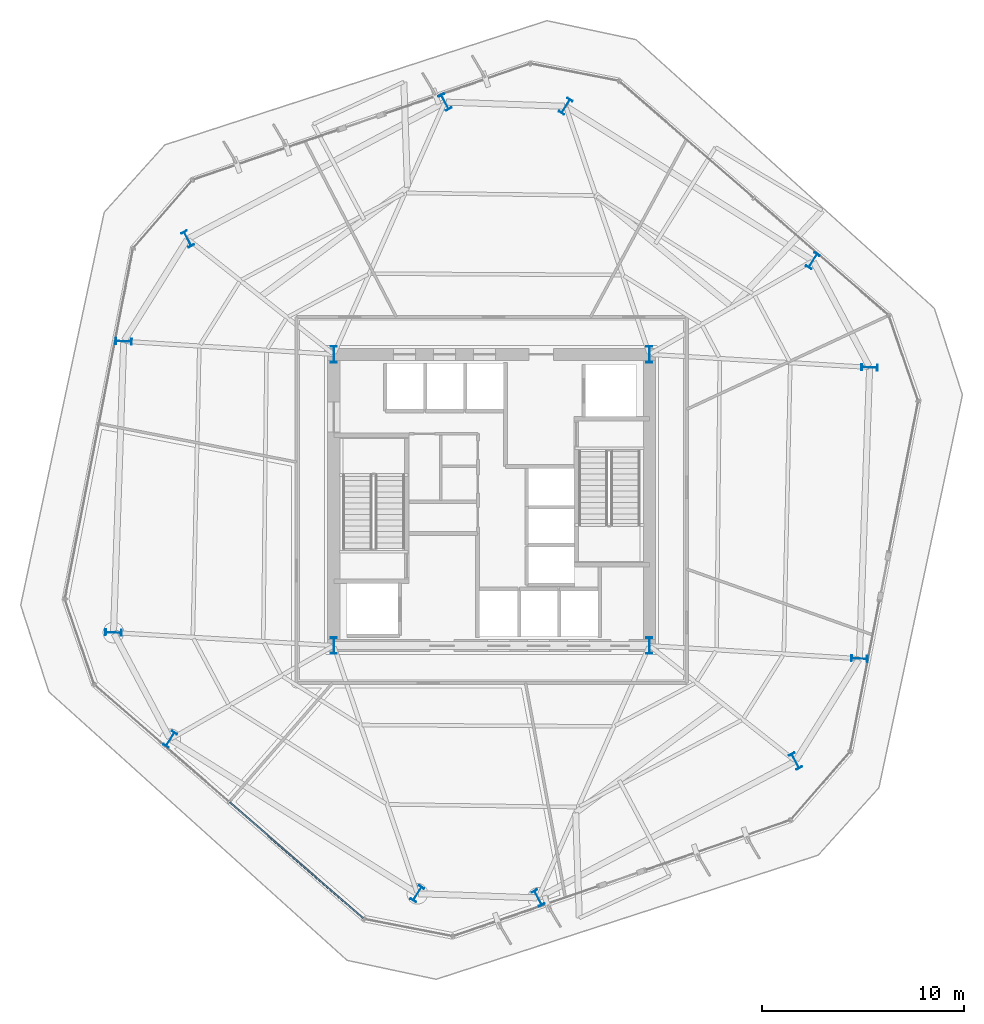
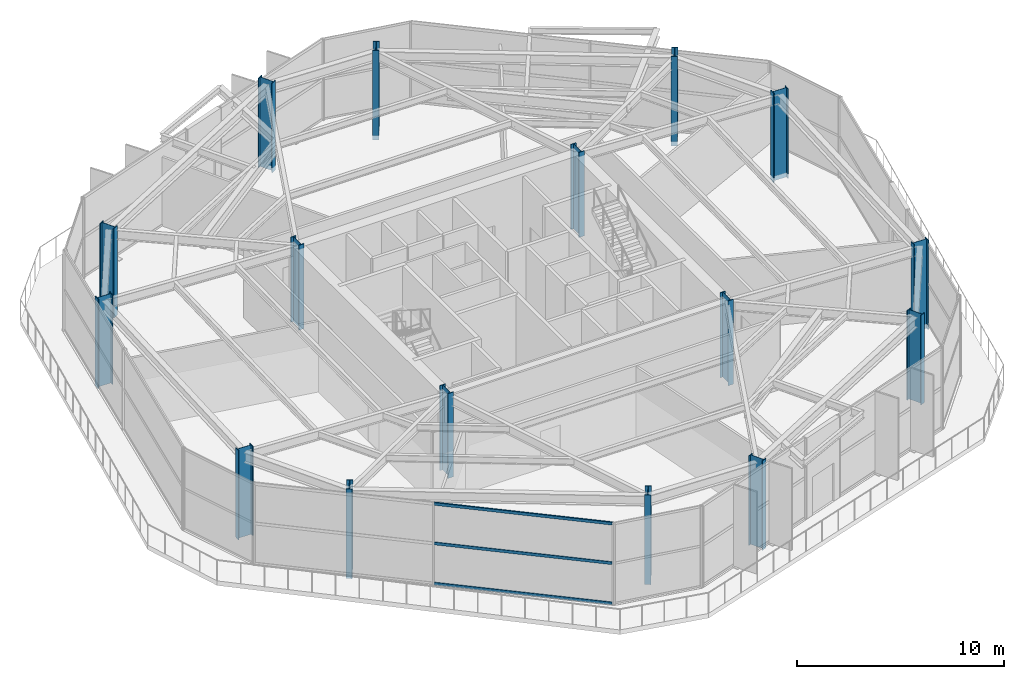
# One storey, part 1 of 16: 16 columns, 3 members, 1 element without a shape of its own.
"""IFC4 building model written with IfcOpenShell, lengths in metres."""

import ifcopenshell
import ifcopenshell.guid

model = None  # the IFC model being written
_history = None  # IfcOwnerHistory: only IFC2X3 demands one
_inside = {}  # id of a spatial element -> (the spatial element, [elements in it])
_under = {}  # id of a project, library or spatial element -> (it, [spatial elements below it])
_declared = {}  # id of a project -> (the project, [libraries it declares])
_typed = {}  # id of a type object -> (the type object, [elements of that type])
_made_of = {}  # id of a material, layer set ... -> (it, [elements and type objects made of it])


def new_model(schema):
    """Start an empty IFC model of exactly this schema.

    Asked for "IFC4X3", IfcOpenShell would pick the latest addendum, in which some entities
    have other attributes; the version numbers below select the first issue.
    IFC2X3 requires an IfcOwnerHistory on every rooted entity: one is made here for all.
    """
    global model, _history
    if schema == "IFC4X3":
        model = ifcopenshell.file(schema_version=(4, 3, 0, 0))
    else:
        model = ifcopenshell.file(schema=schema)
    _inside.clear()
    _under.clear()
    _declared.clear()
    _typed.clear()
    _made_of.clear()
    _history = None
    if model.schema == "IFC2X3":
        org = make("IfcOrganization", Name="unknown")
        user = make(
            "IfcPersonAndOrganization",
            ThePerson=make("IfcPerson", FamilyName="unknown"),
            TheOrganization=org,
        )
        app = make(
            "IfcApplication",
            ApplicationDeveloper=org,
            Version="unknown",
            ApplicationFullName="unknown",
            ApplicationIdentifier="unknown",
        )
        _history = make(
            "IfcOwnerHistory",
            OwningUser=user,
            OwningApplication=app,
            ChangeAction="ADDED",
            CreationDate=0,
        )
    return model


def make(cls, **values):
    """One entity of the class cls with the attributes given. An attribute that is None is left unset."""
    return model.create_entity(
        cls, **{name: value for name, value in values.items() if value is not None}
    )


def rooted(cls, **values):
    """An entity with a GlobalId (a new one), such as an element, a storey or a relation."""
    return make(cls, GlobalId=ifcopenshell.guid.new(), OwnerHistory=_history, **values)


def si_unit(unit_type, name, prefix=None):
    """IfcSIUnit, for example si_unit("LENGTHUNIT", "METRE", prefix="MILLI")."""
    return make("IfcSIUnit", UnitType=unit_type, Prefix=prefix, Name=name)


def assignment(units):
    """IfcUnitAssignment: the units of a project."""
    return None if units is None else make("IfcUnitAssignment", Units=units)


def point(xyz):
    """IfcCartesianPoint."""
    return None if xyz is None else make("IfcCartesianPoint", Coordinates=xyz)


def direction(xyz):
    """IfcDirection."""
    return None if xyz is None else make("IfcDirection", DirectionRatios=xyz)


def frame(location, z_axis=None, x_axis=None):
    """IfcAxis2Placement3D, a coordinate frame: its origin and axes. An axis left out is left unset."""
    return make(
        "IfcAxis2Placement3D",
        Location=point(location),
        Axis=direction(z_axis),
        RefDirection=direction(x_axis),
    )


def frame_2d(location, x_axis=None):
    """IfcAxis2Placement2D, a coordinate frame in the plane: its origin and x axis."""
    return make(
        "IfcAxis2Placement2D", Location=point(location), RefDirection=direction(x_axis)
    )


def origin():
    """The frame at (0, 0, 0) with its axes left unset."""
    return frame((0.0, 0.0, 0.0))


def origin_2d():
    """The frame at (0, 0) in the plane with its x axis left unset."""
    return frame_2d((0.0, 0.0))


def place(relative_to, where):
    """IfcLocalPlacement: puts the frame where relative to a parent placement (None: the world)."""
    return make(
        "IfcLocalPlacement", PlacementRelTo=relative_to, RelativePlacement=where
    )


def context(
    kind, dimensions, precision=None, world=None, true_north=None, identifier=None
):
    """IfcGeometricRepresentationContext, for example the 3D "Model" context."""
    return make(
        "IfcGeometricRepresentationContext",
        ContextIdentifier=identifier,
        ContextType=kind,
        CoordinateSpaceDimension=dimensions,
        Precision=precision,
        WorldCoordinateSystem=world,
        TrueNorth=true_north,
    )


def subcontext(parent, identifier, kind, view, scale=None):
    """IfcGeometricRepresentationSubContext, for example "Body" below "Model"."""
    return make(
        "IfcGeometricRepresentationSubContext",
        ContextIdentifier=identifier,
        ContextType=kind,
        ParentContext=parent,
        TargetScale=scale,
        TargetView=view,
    )


def project(units=None, contexts=None):
    """IfcProject with its units and contexts."""
    return rooted(
        "IfcProject",
        Name="project",
        RepresentationContexts=contexts,
        UnitsInContext=assignment(units),
    )


def spatial(cls, under=None, at=None, **own):
    """A site, building, storey or space (cls), placed at a placement, below another one or the project."""
    s = rooted(cls, ObjectPlacement=at, **own)
    if under is not None:
        _under.setdefault(under.id(), (under, []))[1].append(s)
    return s


def profile(cls, at=None, kind="AREA", **sizes):
    """A parametric profile (cls). Its sizes go by their IFC names, for example OverallWidth=200.0."""
    return make(cls, ProfileType=kind, Position=at, **sizes)


def rectangle(**sizes):
    """IfcRectangleProfileDef."""
    return profile("IfcRectangleProfileDef", **sizes)


def i_section(**sizes):
    """IfcIShapeProfileDef."""
    return profile("IfcIShapeProfileDef", **sizes)


def extrude(swept, where, along, depth):
    """IfcExtrudedAreaSolid: the profile swept, set in the frame where, extruded along a direction by depth."""
    return make(
        "IfcExtrudedAreaSolid",
        SweptArea=swept,
        Position=where,
        ExtrudedDirection=direction(along),
        Depth=depth,
    )


def shape(context_of_items, identifier, shape_type, items):
    """IfcShapeRepresentation: the items that make up one representation, for example the "Body"."""
    return make(
        "IfcShapeRepresentation",
        ContextOfItems=context_of_items,
        RepresentationIdentifier=identifier,
        RepresentationType=shape_type,
        Items=items,
    )


def material(Name=None, Category=None):
    """IfcMaterial."""
    return make("IfcMaterial", Name=Name, Category=Category)


def layer(
    of_material, thickness, ventilated=None, Name=None, Category=None, Priority=None
):
    """IfcMaterialLayer: one layer of a wall or slab, of a material (None: an air gap)."""
    return make(
        "IfcMaterialLayer",
        Material=of_material,
        LayerThickness=thickness,
        IsVentilated=ventilated,
        Name=Name,
        Category=Category,
        Priority=Priority,
    )


def layer_set(layers, Name=None):
    """IfcMaterialLayerSet."""
    return make("IfcMaterialLayerSet", MaterialLayers=layers, LayerSetName=Name)


def material_profile(
    of_material, cross_section, Name=None, Category=None, Priority=None
):
    """IfcMaterialProfile: a cross section and its material."""
    return make(
        "IfcMaterialProfile",
        Name=Name,
        Material=of_material,
        Profile=cross_section,
        Priority=Priority,
        Category=Category,
    )


def profile_set(profiles, Name=None, composite=None):
    """IfcMaterialProfileSet."""
    return make(
        "IfcMaterialProfileSet",
        Name=Name,
        MaterialProfiles=profiles,
        CompositeProfile=composite,
    )


def made_of(thing, what):
    """Note that an element or type object is made of a material, layer set ...; save() writes the relation."""
    if what is not None:
        _made_of.setdefault(what.id(), (what, []))[1].append(thing)
    return thing


def type_object(cls, material=None, **own):
    """A type object (cls), such as IfcWallType, which elements share."""
    return made_of(rooted(cls, **own), material)


def element(
    cls,
    number,
    at=None,
    inside=None,
    cuts=None,
    type_object=None,
    material=None,
    context=None,
    identifier="Body",
    shape_type=None,
    held_by="IfcProductDefinitionShape",
    body=None,
    shapes=None,
    **own,
):
    """One element of the class cls, such as IfcWall. Its Tag is "e" and its number.

    at: its placement. inside: the storey or other place that contains it. cuts: it is an
    opening in that element (IfcRelVoidsElement). A single representation is given by context,
    identifier, shape_type and body (its items); several are given by shapes. held_by: the class
    of the entity that holds the representations. save() writes the other relations.
    """
    e = rooted(cls, Tag="e%d" % number, ObjectPlacement=at, **own)
    if body is not None:
        shapes = [shape(context, identifier, shape_type, body)]
    if shapes is not None:
        e.Representation = make(held_by, Representations=shapes)
    if inside is not None:
        _inside.setdefault(inside.id(), (inside, []))[1].append(e)
    if cuts is not None:
        rooted(
            "IfcRelVoidsElement", RelatingBuildingElement=cuts, RelatedOpeningElement=e
        )
    if type_object is not None:
        _typed.setdefault(type_object.id(), (type_object, []))[1].append(e)
    return made_of(e, material)


def aggregate(whole, parts):
    """IfcRelAggregates: a whole, such as a stair, and the parts it consists of."""
    return rooted("IfcRelAggregates", RelatingObject=whole, RelatedObjects=parts)


def save(model, path):
    """Write the relations noted so far, then the file.

    IfcRelAggregates (storeys below a building ...), IfcRelContainedInSpatialStructure (elements
    in a storey), IfcRelDefinesByType, IfcRelAssociatesMaterial and IfcRelDeclares: one each for
    every whole, place, type object, material and project.
    """
    for whole, parts in _under.values():
        aggregate(whole, parts)
    for where, things in _inside.values():
        rooted(
            "IfcRelContainedInSpatialStructure",
            RelatedElements=things,
            RelatingStructure=where,
        )
    for kind, things in _typed.values():
        rooted("IfcRelDefinesByType", RelatedObjects=things, RelatingType=kind)
    for what, things in _made_of.values():
        rooted("IfcRelAssociatesMaterial", RelatedObjects=things, RelatingMaterial=what)
    for by, libraries in _declared.values():
        rooted("IfcRelDeclares", RelatingContext=by, RelatedDefinitions=libraries)
    model.write(path)


model = new_model("IFC4")

# Units and contexts
model_context = context("Model", 3, precision=1e-05, world=origin(), true_north=direction((0.0, 1.0)))
body_context = subcontext(model_context, "Body", "Model", "MODEL_VIEW")
ifc_project = project(units=[si_unit("LENGTHUNIT", "METRE"), si_unit("AREAUNIT", "SQUARE_METRE"), si_unit("VOLUMEUNIT", "CUBIC_METRE"), si_unit("PLANEANGLEUNIT", "RADIAN"), si_unit("MASSUNIT", "GRAM", prefix="KILO")], contexts=[model_context])

# Site, building, storey
site_placement = place(None, origin())
site = spatial("IfcSite", under=ifc_project, at=site_placement, CompositionType="ELEMENT")
building_placement = place(site_placement, origin())
building = spatial("IfcBuilding", under=site, at=building_placement, Name="Kranzbogen Civic Tower", CompositionType="ELEMENT")
storey_placement = place(building_placement, frame((0.0, 0.0, 97.39990234375)))
storey = spatial("IfcBuildingStorey", under=building, at=storey_placement, Name="L23", CompositionType="ELEMENT", Elevation=97.39990234375)

# Columns
ifc_material_1 = material(Name="Steel S460", Category="steel")
ifc_material_profile_1 = material_profile(ifc_material_1, i_section(OverallWidth=0.302978515625, OverallDepth=0.81396484375, WebThickness=0.02099609375, FlangeThickness=0.0400390625, at=origin_2d()), Name="HEM 800")
ifc_profile_set_1 = profile_set([ifc_material_profile_1], Name="Steel S460")
column_type = type_object("IfcColumnType", Name="Structural Column HEM 800", PredefinedType="COLUMN", material=ifc_profile_set_1)
for number, where, z_axis, x_axis, name in (
    (1, (17.199951171875, 17.800048828125, 0.0), (0.0, 0.0, 1.0), (1.0, 0.0, 0.0), "L23 composite core corner column 1"),
    (2, (32.800048828125, 17.800048828125, 0.0), (0.0, 0.0, 1.0), (1.0, 0.0, 0.0), "L23 composite core corner column 2"),
    (3, (32.800048828125, 32.199951171875, 0.0), (0.0, 0.0, 1.0), (1.0, 0.0, 0.0), "L23 composite core corner column 3"),
    (4, (17.199951171875, 32.199951171875, 0.0), (0.0, 0.0, 1.0), (1.0, 0.0, 0.0), "L23 composite core corner column 4"),
):
    element("IfcColumn", number, at=place(storey_placement, frame(where, z_axis=z_axis, x_axis=x_axis)), inside=storey, type_object=column_type, Name=name, PredefinedType="COLUMN", context=body_context, shape_type="SweptSolid", body=[
        extrude(i_section(OverallWidth=0.302978515625, OverallDepth=0.81396484375, WebThickness=0.02099609375, FlangeThickness=0.0400390625, at=origin_2d()), origin(), (0.0, 0.0, 1.0), 5.0),
    ])
for number, where, z_axis, x_axis, name in (
    (5, (40.885986328125, 36.8291015625, -0.27001953125), (0.0, 0.0, 1.0), (-0.848048096156, 0.529919264233, 0.0), "L23 tower perimeter tube column 01"),
    (6, (28.66796875, 44.464111328125, -0.27001953125), (0.0, 0.0, 1.0), (-0.848048096156, 0.529919264233, 0.0), "L23 tower perimeter tube column 02"),
    (7, (22.698974609375, 44.672119140625, -0.27001953125), (0.0, 0.0, 1.0), (0.882947592859, 0.469471562786, 0.0), "L23 tower perimeter tube column 03"),
    (8, (9.97705078125, 37.907958984375, -0.27001953125), (0.0, 0.0, 1.0), (0.882947592859, 0.469471562786, 0.0), "L23 tower perimeter tube column 04"),
    (9, (6.81298828125, 32.843994140625, -0.27001953125), (0.0, 0.0, 1.0), (0.034899496703, 0.999390827019, 0.0), "L23 tower perimeter tube column 05"),
    (10, (6.31005859375, 18.444091796875, -0.27001953125), (0.0, 0.0, 1.0), (0.034899496703, 0.999390827019, 0.0), "L23 tower perimeter tube column 06"),
    (11, (9.114013671875, 13.1708984375, -0.27001953125), (0.0, 0.0, 1.0), (-0.848048096156, 0.529919264233, 0.0), "L23 tower perimeter tube column 07"),
    (12, (21.33203125, 5.535888671875, -0.27001953125), (0.0, 0.0, 1.0), (-0.848048096156, 0.529919264233, 0.0), "L23 tower perimeter tube column 08"),
    (13, (27.301025390625, 5.327880859375, -0.27001953125), (0.0, 0.0, 1.0), (0.882947592859, 0.469471562786, 0.0), "L23 tower perimeter tube column 09"),
    (14, (40.02294921875, 12.092041015625, -0.27001953125), (0.0, 0.0, 1.0), (0.882947592859, 0.469471562786, 0.0), "L23 tower perimeter tube column 10"),
    (15, (43.18701171875, 17.156005859375, -0.27001953125), (0.0, 0.0, 1.0), (0.034899496703, 0.999390827019, 0.0), "L23 tower perimeter tube column 11"),
    (16, (43.68994140625, 31.555908203125, -0.27001953125), (0.0, 0.0, 1.0), (0.034899496703, 0.999390827019, 0.0), "L23 tower perimeter tube column 12"),
):
    element("IfcColumn", number, at=place(storey_placement, frame(where, z_axis=z_axis, x_axis=x_axis)), inside=storey, type_object=column_type, Name=name, PredefinedType="COLUMN", context=body_context, shape_type="SweptSolid", body=[
        extrude(i_section(OverallWidth=0.302978515625, OverallDepth=0.81396484375, WebThickness=0.02099609375, FlangeThickness=0.0400390625, at=origin_2d()), origin(), (0.0, 0.0, 1.0), 5.27001953125),
    ])

# Curtain wall, members
ifc_material_2 = material(Name="Pale Anodised Aluminium", Category="aluminium")
ifc_layer = layer(ifc_material_2, 0.219970703125, Name="Pale Anodised Aluminium")
ifc_layer_set = layer_set([ifc_layer], Name="Pale Anodised Aluminium")
curtain_wall_type = type_object("IfcCurtainWallType", Name="Zone 2 Stick Curtain Wall System CW-03", PredefinedType="USERDEFINED", material=ifc_layer_set)
curtain_wall_placement = place(storey_placement, origin())
curtain_wall = element("IfcCurtainWall", 17, at=curtain_wall_placement, inside=storey, type_object=curtain_wall_type, Name="L23 curtain wall CW-L23-F4", ObjectType="STICK CURTAIN WALL", PredefinedType="USERDEFINED")
ifc_material_profile_2 = material_profile(ifc_material_2, rectangle(XDim=0.074951171875, YDim=0.1650390625, at=origin_2d()), Name="ALU-T 75x165")
ifc_profile_set_2 = profile_set([ifc_material_profile_2], Name="Pale Anodised Aluminium")
member_type = type_object("IfcMemberType", Name="Curtain Wall Transom ALU-T 75x165", PredefinedType="USERDEFINED", material=ifc_profile_set_2)
member_1_placement = place(storey_placement, frame((12.051025390625, 10.057861328125, 0.030029296875), z_axis=(0.754731132923, -0.656034234622, 0.0), x_axis=(0.656034234622, 0.754731132923, 0.0)))
member_1 = element("IfcMember", 18, at=member_1_placement, type_object=member_type, Name="CW-03 transom 2.1", ObjectType="TRANSOM", PredefinedType="USERDEFINED", context=body_context, shape_type="SweptSolid", body=[
    extrude(rectangle(XDim=0.074951171875, YDim=0.1650390625, at=origin_2d()), origin(), (0.0, 0.0, 1.0), 8.744384765625),
])
member_2_placement = place(storey_placement, frame((12.051025390625, 10.057861328125, 2.400146484375), z_axis=(0.754731132923, -0.656034234622, 0.0), x_axis=(0.656034234622, 0.754731132923, 0.0)))
member_2 = element("IfcMember", 19, at=member_2_placement, type_object=member_type, Name="CW-03 transom 2.2", ObjectType="TRANSOM", PredefinedType="USERDEFINED", context=body_context, shape_type="SweptSolid", body=[
    extrude(rectangle(XDim=0.074951171875, YDim=0.1650390625, at=origin_2d()), origin(), (0.0, 0.0, 1.0), 8.744384765625),
])
member_3_placement = place(storey_placement, frame((12.051025390625, 10.057861328125, 4.72998046875), z_axis=(0.754731132923, -0.656034234622, 0.0), x_axis=(0.656034234622, 0.754731132923, 0.0)))
member_3 = element("IfcMember", 20, at=member_3_placement, type_object=member_type, Name="CW-03 transom 2.3", ObjectType="TRANSOM", PredefinedType="USERDEFINED", context=body_context, shape_type="SweptSolid", body=[
    extrude(rectangle(XDim=0.074951171875, YDim=0.1650390625, at=origin_2d()), origin(), (0.0, 0.0, 1.0), 8.744384765625),
])
aggregate(curtain_wall, [member_1, member_2, member_3])

save(model, "model.ifc")
